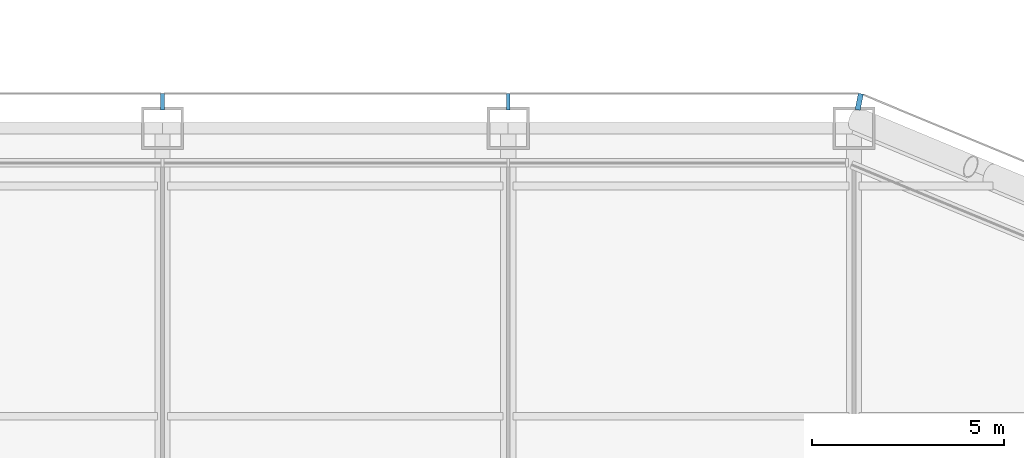
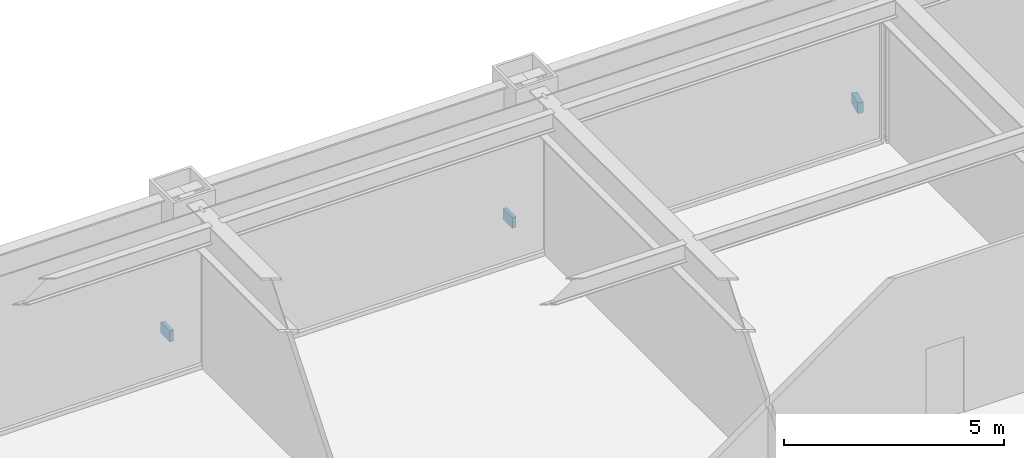
# One storey, part 22 of 28: 3 discrete accessories.
"""IFC4 building model written with IfcOpenShell, lengths in metres."""

import ifcopenshell
import ifcopenshell.guid

model = None  # the IFC model being written
_history = None  # IfcOwnerHistory: only IFC2X3 demands one
_inside = {}  # id of a spatial element -> (the spatial element, [elements in it])
_under = {}  # id of a project, library or spatial element -> (it, [spatial elements below it])
_declared = {}  # id of a project -> (the project, [libraries it declares])
_typed = {}  # id of a type object -> (the type object, [elements of that type])
_made_of = {}  # id of a material, layer set ... -> (it, [elements and type objects made of it])


def new_model(schema):
    """Start an empty IFC model of exactly this schema.

    Asked for "IFC4X3", IfcOpenShell would pick the latest addendum, in which some entities
    have other attributes; the version numbers below select the first issue.
    IFC2X3 requires an IfcOwnerHistory on every rooted entity: one is made here for all.
    """
    global model, _history
    if schema == "IFC4X3":
        model = ifcopenshell.file(schema_version=(4, 3, 0, 0))
    else:
        model = ifcopenshell.file(schema=schema)
    _inside.clear()
    _under.clear()
    _declared.clear()
    _typed.clear()
    _made_of.clear()
    _history = None
    if model.schema == "IFC2X3":
        org = make("IfcOrganization", Name="unknown")
        user = make(
            "IfcPersonAndOrganization",
            ThePerson=make("IfcPerson", FamilyName="unknown"),
            TheOrganization=org,
        )
        app = make(
            "IfcApplication",
            ApplicationDeveloper=org,
            Version="unknown",
            ApplicationFullName="unknown",
            ApplicationIdentifier="unknown",
        )
        _history = make(
            "IfcOwnerHistory",
            OwningUser=user,
            OwningApplication=app,
            ChangeAction="ADDED",
            CreationDate=0,
        )
    return model


def make(cls, **values):
    """One entity of the class cls with the attributes given. An attribute that is None is left unset."""
    return model.create_entity(
        cls, **{name: value for name, value in values.items() if value is not None}
    )


def rooted(cls, **values):
    """An entity with a GlobalId (a new one), such as an element, a storey or a relation."""
    return make(cls, GlobalId=ifcopenshell.guid.new(), OwnerHistory=_history, **values)


def si_unit(unit_type, name, prefix=None):
    """IfcSIUnit, for example si_unit("LENGTHUNIT", "METRE", prefix="MILLI")."""
    return make("IfcSIUnit", UnitType=unit_type, Prefix=prefix, Name=name)


def assignment(units):
    """IfcUnitAssignment: the units of a project."""
    return None if units is None else make("IfcUnitAssignment", Units=units)


def point(xyz):
    """IfcCartesianPoint."""
    return None if xyz is None else make("IfcCartesianPoint", Coordinates=xyz)


def direction(xyz):
    """IfcDirection."""
    return None if xyz is None else make("IfcDirection", DirectionRatios=xyz)


def frame(location, z_axis=None, x_axis=None):
    """IfcAxis2Placement3D, a coordinate frame: its origin and axes. An axis left out is left unset."""
    return make(
        "IfcAxis2Placement3D",
        Location=point(location),
        Axis=direction(z_axis),
        RefDirection=direction(x_axis),
    )


def frame_2d(location, x_axis=None):
    """IfcAxis2Placement2D, a coordinate frame in the plane: its origin and x axis."""
    return make(
        "IfcAxis2Placement2D", Location=point(location), RefDirection=direction(x_axis)
    )


def origin():
    """The frame at (0, 0, 0) with its axes left unset."""
    return frame((0.0, 0.0, 0.0))


def origin_2d():
    """The frame at (0, 0) in the plane with its x axis left unset."""
    return frame_2d((0.0, 0.0))


def place(relative_to, where):
    """IfcLocalPlacement: puts the frame where relative to a parent placement (None: the world)."""
    return make(
        "IfcLocalPlacement", PlacementRelTo=relative_to, RelativePlacement=where
    )


def context(
    kind, dimensions, precision=None, world=None, true_north=None, identifier=None
):
    """IfcGeometricRepresentationContext, for example the 3D "Model" context."""
    return make(
        "IfcGeometricRepresentationContext",
        ContextIdentifier=identifier,
        ContextType=kind,
        CoordinateSpaceDimension=dimensions,
        Precision=precision,
        WorldCoordinateSystem=world,
        TrueNorth=true_north,
    )


def subcontext(parent, identifier, kind, view, scale=None):
    """IfcGeometricRepresentationSubContext, for example "Body" below "Model"."""
    return make(
        "IfcGeometricRepresentationSubContext",
        ContextIdentifier=identifier,
        ContextType=kind,
        ParentContext=parent,
        TargetScale=scale,
        TargetView=view,
    )


def project(units=None, contexts=None):
    """IfcProject with its units and contexts."""
    return rooted(
        "IfcProject",
        Name="project",
        RepresentationContexts=contexts,
        UnitsInContext=assignment(units),
    )


def spatial(cls, under=None, at=None, **own):
    """A site, building, storey or space (cls), placed at a placement, below another one or the project."""
    s = rooted(cls, ObjectPlacement=at, **own)
    if under is not None:
        _under.setdefault(under.id(), (under, []))[1].append(s)
    return s


def profile(cls, at=None, kind="AREA", **sizes):
    """A parametric profile (cls). Its sizes go by their IFC names, for example OverallWidth=200.0."""
    return make(cls, ProfileType=kind, Position=at, **sizes)


def rectangle(**sizes):
    """IfcRectangleProfileDef."""
    return profile("IfcRectangleProfileDef", **sizes)


def extrude(swept, where, along, depth):
    """IfcExtrudedAreaSolid: the profile swept, set in the frame where, extruded along a direction by depth."""
    return make(
        "IfcExtrudedAreaSolid",
        SweptArea=swept,
        Position=where,
        ExtrudedDirection=direction(along),
        Depth=depth,
    )


def shape(context_of_items, identifier, shape_type, items):
    """IfcShapeRepresentation: the items that make up one representation, for example the "Body"."""
    return make(
        "IfcShapeRepresentation",
        ContextOfItems=context_of_items,
        RepresentationIdentifier=identifier,
        RepresentationType=shape_type,
        Items=items,
    )


def material(Name=None, Category=None):
    """IfcMaterial."""
    return make("IfcMaterial", Name=Name, Category=Category)


def made_of(thing, what):
    """Note that an element or type object is made of a material, layer set ...; save() writes the relation."""
    if what is not None:
        _made_of.setdefault(what.id(), (what, []))[1].append(thing)
    return thing


def type_object(cls, material=None, **own):
    """A type object (cls), such as IfcWallType, which elements share."""
    return made_of(rooted(cls, **own), material)


def element(
    cls,
    number,
    at=None,
    inside=None,
    cuts=None,
    type_object=None,
    material=None,
    context=None,
    identifier="Body",
    shape_type=None,
    held_by="IfcProductDefinitionShape",
    body=None,
    shapes=None,
    **own,
):
    """One element of the class cls, such as IfcWall. Its Tag is "e" and its number.

    at: its placement. inside: the storey or other place that contains it. cuts: it is an
    opening in that element (IfcRelVoidsElement). A single representation is given by context,
    identifier, shape_type and body (its items); several are given by shapes. held_by: the class
    of the entity that holds the representations. save() writes the other relations.
    """
    e = rooted(cls, Tag="e%d" % number, ObjectPlacement=at, **own)
    if body is not None:
        shapes = [shape(context, identifier, shape_type, body)]
    if shapes is not None:
        e.Representation = make(held_by, Representations=shapes)
    if inside is not None:
        _inside.setdefault(inside.id(), (inside, []))[1].append(e)
    if cuts is not None:
        rooted(
            "IfcRelVoidsElement", RelatingBuildingElement=cuts, RelatedOpeningElement=e
        )
    if type_object is not None:
        _typed.setdefault(type_object.id(), (type_object, []))[1].append(e)
    return made_of(e, material)


def aggregate(whole, parts):
    """IfcRelAggregates: a whole, such as a stair, and the parts it consists of."""
    return rooted("IfcRelAggregates", RelatingObject=whole, RelatedObjects=parts)


def save(model, path):
    """Write the relations noted so far, then the file.

    IfcRelAggregates (storeys below a building ...), IfcRelContainedInSpatialStructure (elements
    in a storey), IfcRelDefinesByType, IfcRelAssociatesMaterial and IfcRelDeclares: one each for
    every whole, place, type object, material and project.
    """
    for whole, parts in _under.values():
        aggregate(whole, parts)
    for where, things in _inside.values():
        rooted(
            "IfcRelContainedInSpatialStructure",
            RelatedElements=things,
            RelatingStructure=where,
        )
    for kind, things in _typed.values():
        rooted("IfcRelDefinesByType", RelatedObjects=things, RelatingType=kind)
    for what, things in _made_of.values():
        rooted("IfcRelAssociatesMaterial", RelatedObjects=things, RelatingMaterial=what)
    for by, libraries in _declared.values():
        rooted("IfcRelDeclares", RelatingContext=by, RelatedDefinitions=libraries)
    model.write(path)


model = new_model("IFC4")

# Units and contexts
model_context = context("Model", 3, precision=1e-05, world=origin(), true_north=direction((0.0, 1.0)))
body_context = subcontext(model_context, "Body", "Model", "MODEL_VIEW")
ifc_project = project(units=[si_unit("LENGTHUNIT", "METRE"), si_unit("AREAUNIT", "SQUARE_METRE"), si_unit("VOLUMEUNIT", "CUBIC_METRE"), si_unit("PLANEANGLEUNIT", "RADIAN"), si_unit("MASSUNIT", "GRAM", prefix="KILO")], contexts=[model_context])

# Site, building, storey
site_placement = place(None, origin())
site = spatial("IfcSite", under=ifc_project, at=site_placement, CompositionType="ELEMENT")
building_placement = place(site_placement, origin())
building = spatial("IfcBuilding", under=site, at=building_placement, Name="Siwar Civic Tower", CompositionType="ELEMENT")
storey_placement = place(building_placement, frame((0.0, 0.0, 31.199951171875)))
storey = spatial("IfcBuildingStorey", under=building, at=storey_placement, Name="L06", CompositionType="ELEMENT", Elevation=31.199951171875)

# Discrete accessories
ifc_material = material(Name="Stainless steel 316", Category="steel")
discrete_accessory_type = type_object("IfcDiscreteAccessoryType", Name="ENV-BRACKET", PredefinedType="BRACKET", material=ifc_material)
for number, where, z_axis, x_axis, name in (
    (1, (13.5, 32.18994140625, -0.14990234375), (0.0, 0.0, 1.0), (0.0, 1.0, 0.0), "Bracket outer skin joint N-01"),
    (2, (4.5, 32.18994140625, -0.14990234375), (0.0, 0.0, 1.0), (0.0, 1.0, 0.0), "Bracket outer skin joint N-02"),
):
    element("IfcDiscreteAccessory", number, at=place(storey_placement, frame(where, z_axis=z_axis, x_axis=x_axis)), inside=storey, type_object=discrete_accessory_type, Name=name, PredefinedType="BRACKET", context=body_context, shape_type="SweptSolid", body=[
        extrude(rectangle(XDim=0.419921875, YDim=0.10009765625, at=origin_2d()), origin(), (0.0, 0.0, 1.0), 0.300048828125),
    ])
discrete_accessory_placement = place(storey_placement, frame((22.63720703125, 32.190185546875, -0.14990234375), z_axis=(0.0, 0.0, 1.0), x_axis=(0.195090322016, 0.980785280403, 0.0)))
element("IfcDiscreteAccessory", 3, at=discrete_accessory_placement, inside=storey, type_object=discrete_accessory_type, Name="Bracket outer skin joint V06", PredefinedType="BRACKET", context=body_context, shape_type="SweptSolid", body=[
    extrude(rectangle(XDim=0.427734375, YDim=0.13720703125, at=origin_2d()), origin(), (0.0, 0.0, 1.0), 0.300048828125),
])

save(model, "model.ifc")
